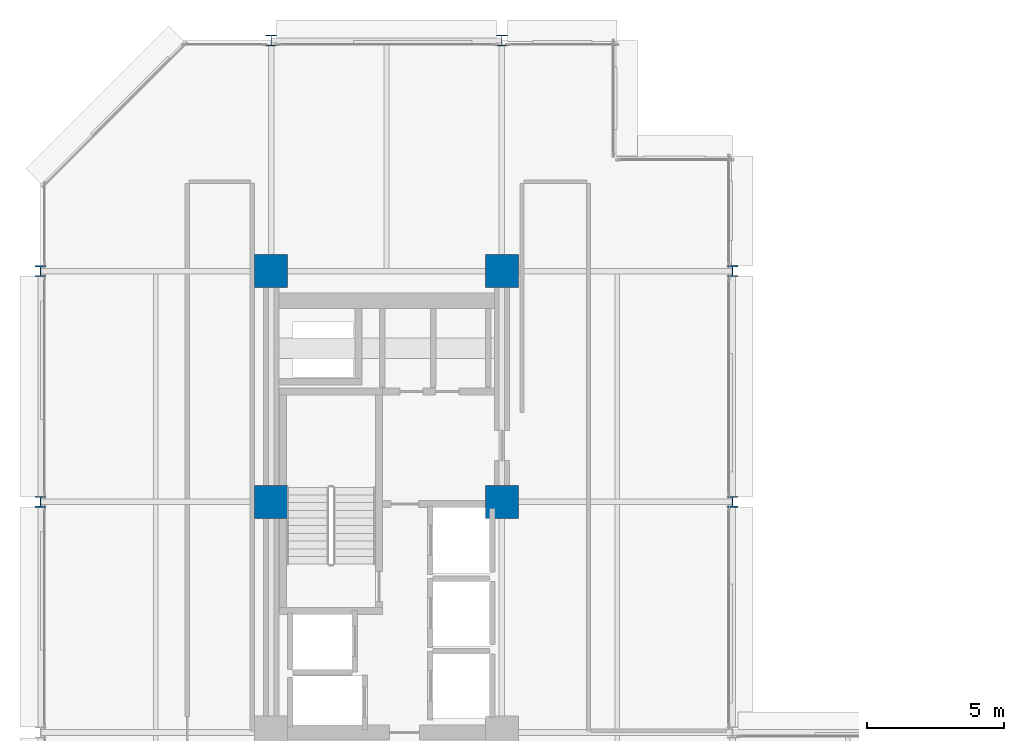
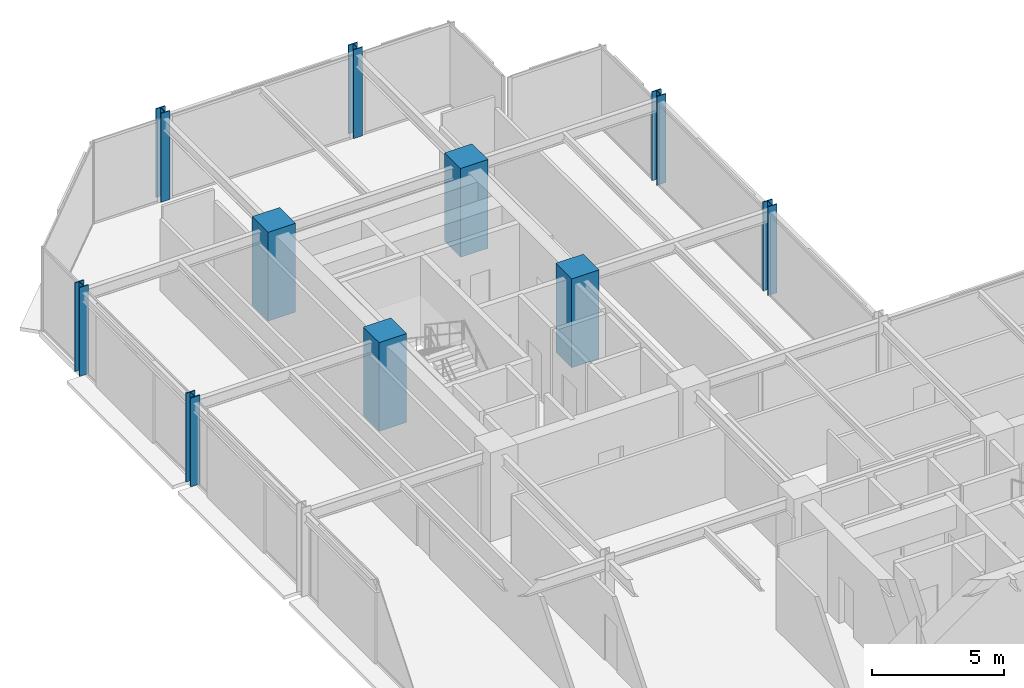
# One storey, part 3 of 39: 10 columns.
"""IFC4 building model written with IfcOpenShell, lengths in metres."""

from ifc_helpers import new_model, si_unit, direction, frame, origin, origin_2d, place, context, subcontext, project, spatial, rectangle, i_section, extrude, material, material_profile, profile_set, type_object, element, save


model = new_model("IFC4")

# Units and contexts
model_context = context("Model", 3, precision=1e-05, world=origin(), true_north=direction((0.0, 1.0)))
body_context = subcontext(model_context, "Body", "Model", "MODEL_VIEW")
ifc_project = project(units=[si_unit("LENGTHUNIT", "METRE"), si_unit("AREAUNIT", "SQUARE_METRE"), si_unit("VOLUMEUNIT", "CUBIC_METRE"), si_unit("PLANEANGLEUNIT", "RADIAN"), si_unit("MASSUNIT", "GRAM", prefix="KILO")], contexts=[model_context])

# Site, building, storey
site_placement = place(None, origin())
site = spatial("IfcSite", under=ifc_project, at=site_placement, CompositionType="ELEMENT")
building_placement = place(site_placement, origin())
building = spatial("IfcBuilding", under=site, at=building_placement, Name="Nerrivon Quay Data Exchange", CompositionType="ELEMENT")
storey_placement = place(building_placement, frame((0.0, 0.0, 92.60009765625)))
storey = spatial("IfcBuildingStorey", under=building, at=storey_placement, Name="L21", CompositionType="ELEMENT", Elevation=92.60009765625)

# Columns
ifc_material_1 = material(Name="Concrete S65 (65 MPa)", Category="concrete")
ifc_material_profile_1 = material_profile(ifc_material_1, rectangle(XDim=1.199951171875, YDim=1.199951171875, at=origin_2d()), Name="RC-COL-1200x1200")
ifc_profile_set_1 = profile_set([ifc_material_profile_1], Name="Concrete S65 (65 MPa)")
column_type_1 = type_object("IfcColumnType", Name="COL-C3-1200", PredefinedType="COLUMN", material=ifc_profile_set_1)
for number, where, z_axis, x_axis, name in (
    (1, (8.39990234375, 33.60009765625, 0.0), (0.0, 0.0, 1.0), (1.0, 0.0, 0.0), "L21 Column (8.4,33.6)"),
    (2, (8.39990234375, 42.0, 0.0), (0.0, 0.0, 1.0), (1.0, 0.0, 0.0), "L21 Column (8.4,42.0)"),
    (3, (16.800048828125, 33.60009765625, 0.0), (0.0, 0.0, 1.0), (1.0, 0.0, 0.0), "L21 Column (16.8,33.6)"),
    (4, (16.800048828125, 42.0, 0.0), (0.0, 0.0, 1.0), (1.0, 0.0, 0.0), "L21 Column (16.8,42.0)"),
):
    element("IfcColumn", number, at=place(storey_placement, frame(where, z_axis=z_axis, x_axis=x_axis)), inside=storey, type_object=column_type_1, Name=name, PredefinedType="COLUMN", context=body_context, shape_type="SweptSolid", body=[
        extrude(rectangle(XDim=1.199951171875, YDim=1.199951171875, at=origin_2d()), origin(), (0.0, 0.0, 1.0), 4.099853515625),
    ])
ifc_material_2 = material(Name="Steel Grade 350", Category="steel")
ifc_material_profile_2 = material_profile(ifc_material_2, i_section(OverallWidth=0.39990234375, OverallDepth=0.39990234375, WebThickness=0.02490234375, FlangeThickness=0.0400390625, at=origin_2d()), Name="400WC328")
ifc_profile_set_2 = profile_set([ifc_material_profile_2], Name="Steel Grade 350")
column_type_2 = type_object("IfcColumnType", Name="COL-SC2-400WC", PredefinedType="COLUMN", material=ifc_profile_set_2)
for number, where, z_axis, x_axis, name in (
    (5, (0.0, 33.60009765625, 0.0), (0.0, 0.0, 1.0), (1.0, 0.0, 0.0), "L21 Column (0.0,33.6)"),
    (6, (0.0, 42.0, 0.0), (0.0, 0.0, 1.0), (1.0, 0.0, 0.0), "L21 Column (0.0,42.0)"),
    (7, (8.39990234375, 50.39990234375, 0.0), (0.0, 0.0, 1.0), (1.0, 0.0, 0.0), "L21 Column (8.4,50.4)"),
    (8, (16.800048828125, 50.39990234375, 0.0), (0.0, 0.0, 1.0), (1.0, 0.0, 0.0), "L21 Column (16.8,50.4)"),
    (9, (25.199951171875, 33.60009765625, 0.0), (0.0, 0.0, 1.0), (1.0, 0.0, 0.0), "L21 Column (25.2,33.6)"),
    (10, (25.199951171875, 42.0, 0.0), (0.0, 0.0, 1.0), (1.0, 0.0, 0.0), "L21 Column (25.2,42.0)"),
):
    element("IfcColumn", number, at=place(storey_placement, frame(where, z_axis=z_axis, x_axis=x_axis)), inside=storey, type_object=column_type_2, Name=name, PredefinedType="COLUMN", context=body_context, shape_type="SweptSolid", body=[
        extrude(i_section(OverallWidth=0.39990234375, OverallDepth=0.39990234375, WebThickness=0.02490234375, FlangeThickness=0.0400390625, at=origin_2d()), origin(), (0.0, 0.0, 1.0), 4.099853515625),
    ])

save(model, "model.ifc")
